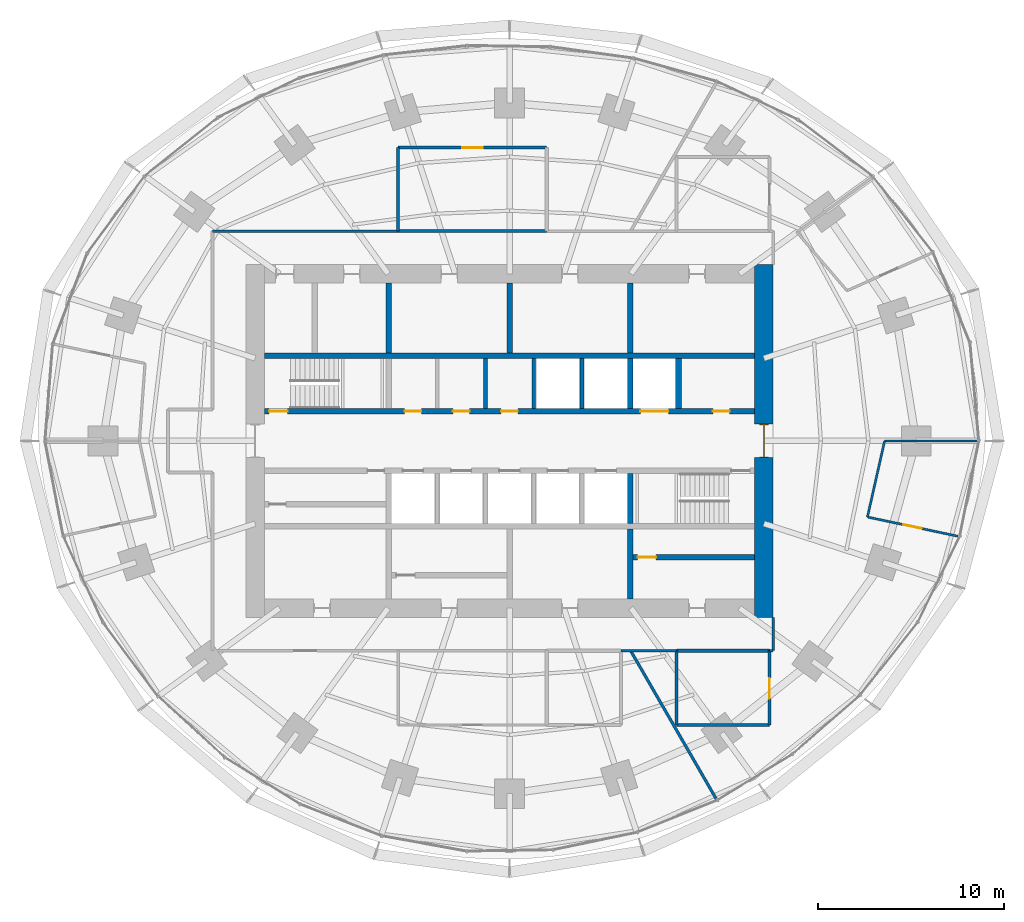
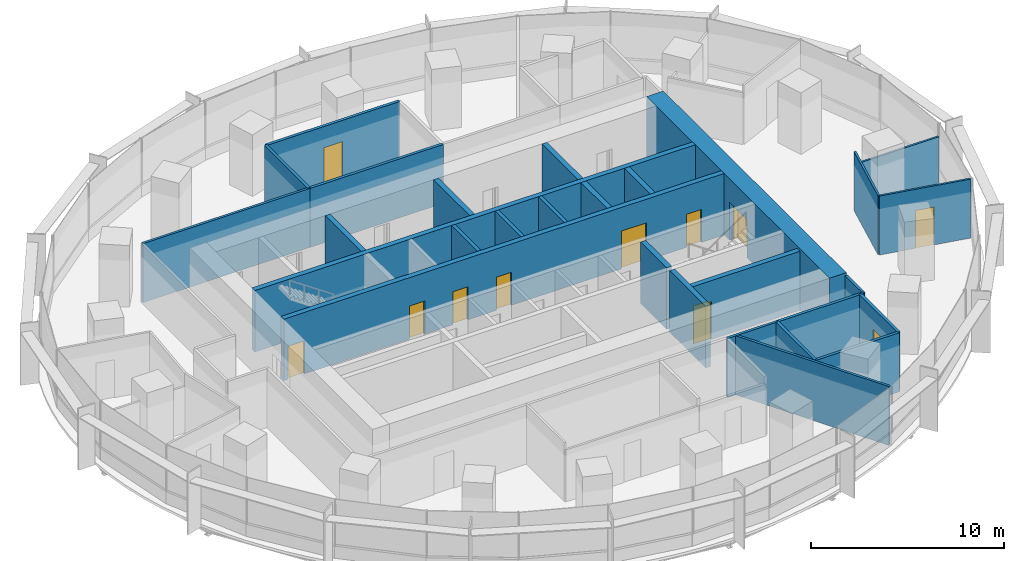
# One storey, part 11 of 14: 29 walls, 11 doors, 11 openings.
"""IFC4 building model written with IfcOpenShell, lengths in metres."""

from ifc_helpers import new_model, si_unit, direction, frame, frame_2d, origin, place, context, subcontext, project, spatial, rectangle, extrude, material, layer, layer_set, type_object, element, fill, save


model = new_model("IFC4")

# Units and contexts
model_context = context("Model", 3, precision=1e-05, world=origin(), true_north=direction((0.0, 1.0)))
body_context = subcontext(model_context, "Body", "Model", "MODEL_VIEW")
ifc_project = project(units=[si_unit("LENGTHUNIT", "METRE"), si_unit("AREAUNIT", "SQUARE_METRE"), si_unit("VOLUMEUNIT", "CUBIC_METRE"), si_unit("PLANEANGLEUNIT", "RADIAN"), si_unit("MASSUNIT", "GRAM", prefix="KILO")], contexts=[model_context])

# Site, building, storey
site_placement = place(None, origin())
site = spatial("IfcSite", under=ifc_project, at=site_placement, CompositionType="ELEMENT")
building_placement = place(site_placement, origin())
building = spatial("IfcBuilding", under=site, at=building_placement, Name="Marramba Exchange Tower", CompositionType="ELEMENT")
storey_placement = place(building_placement, frame((0.0, 0.0, 150.89990234375)))
storey = spatial("IfcBuildingStorey", under=building, at=storey_placement, Name="L36", CompositionType="ELEMENT", Elevation=150.89990234375)

# Walls
ifc_material_1 = material(Name="Plasterboard on staggered double steel studs, acoustic insulation", Category="steel")
ifc_layer_1 = layer(ifc_material_1, 0.169921875)
ifc_layer_set_1 = layer_set([ifc_layer_1], Name="Acoustic partition 170")
wall_type_1 = type_object("IfcWallType", Name="Acoustic partition 170", PredefinedType="PARTITIONING", material=ifc_layer_set_1)
wall_1_placement = place(storey_placement, frame((9.0, -11.300048828125, 0.0), z_axis=(0.0, 0.0, 1.0), x_axis=(0.0, -1.0, 0.0)))
element("IfcWall", 1, at=wall_1_placement, inside=storey, type_object=wall_type_1, Name="Acoustic partition L36 14", PredefinedType="PARTITIONING", context=body_context, shape_type="SweptSolid", body=[
    extrude(rectangle(XDim=4.0, YDim=0.169921875, at=frame_2d((2.0, 0.0))), origin(), (0.0, 0.0, 1.0), 3.739990234375),
])
for number, where, z_axis, x_axis, name in (
    (2, (9.0, -15.300048828125, 0.0), (0.0, 0.0, 1.0), (1.0, 0.0, 0.0), "Acoustic partition L36 15"),
    (3, (14.0, -11.300048828125, 0.0), (0.0, 0.0, 1.0), (-1.0, 0.0, 0.0), "Acoustic partition L36 16"),
):
    element("IfcWall", number, at=place(storey_placement, frame(where, z_axis=z_axis, x_axis=x_axis)), inside=storey, type_object=wall_type_1, Name=name, PredefinedType="PARTITIONING", context=body_context, shape_type="SweptSolid", body=[
        extrude(rectangle(XDim=5.0, YDim=0.169921875, at=frame_2d((2.5, 0.0))), origin(), (0.0, 0.0, 1.0), 3.739990234375),
    ])

# Wall, opening, door
wall_2_placement = place(storey_placement, frame((14.0, -15.300048828125, 0.0), z_axis=(0.0, 0.0, 1.0), x_axis=(0.0, 1.0, 0.0)))
wall_2 = element("IfcWall", 4, at=wall_2_placement, inside=storey, type_object=wall_type_1, Name="Acoustic partition L36 17", PredefinedType="PARTITIONING", context=body_context, shape_type="SweptSolid", body=[
    extrude(rectangle(XDim=4.0, YDim=0.169921875, at=frame_2d((2.0, 0.0))), origin(), (0.0, 0.0, 1.0), 3.739990234375),
])
opening_1_placement = place(wall_2_placement, frame((1.424072265625, 0.0, 0.0)))
opening_1 = element("IfcOpeningElement", 5, at=opening_1_placement, cuts=wall_2, Name="Opening D15", PredefinedType="OPENING", context=body_context, shape_type="SweptSolid", body=[
    extrude(rectangle(XDim=1.10009765625, YDim=2.39990234375, at=frame_2d((0.550048828125, 1.199951171875))), frame((0.0, 0.094970703125, 0.0), z_axis=(0.0, -1.0, 0.0), x_axis=(1.0, 0.0, 0.0)), (0.0, 0.0, 1.0), 0.18994140625),
])
ifc_material_2 = material(Name="Timber door", Category="wood")
door_type_1 = type_object("IfcDoorType", Name="Glazed meeting room door 1100x2400", OperationType="SINGLE_SWING_LEFT", PredefinedType="DOOR", material=ifc_material_2)
door_1_placement = place(opening_1_placement, origin())
door_1 = element("IfcDoor", 6, at=door_1_placement, inside=storey, type_object=door_type_1, Name="D15 Meeting Room 2 L36", OperationType="SINGLE_SWING_LEFT", OverallHeight=2.39990234375, OverallWidth=1.10009765625, PredefinedType="DOOR", context=body_context, shape_type="SweptSolid", body=[
    extrude(rectangle(XDim=1.10009765625, YDim=2.39990234375, at=frame_2d((0.550048828125, 1.199951171875))), frame((0.0, 0.02490234375, 0.0), z_axis=(0.0, -1.0, 0.0), x_axis=(1.0, 0.0, 0.0)), (0.0, 0.0, 1.0), 0.050048828125),
])
fill(opening_1, door_1)

wall_3_placement = place(storey_placement, frame((2.0, 15.800048828125, 0.0), z_axis=(0.0, 0.0, 1.0), x_axis=(-1.0, 0.0, 0.0)))
wall_3 = element("IfcWall", 7, at=wall_3_placement, inside=storey, type_object=wall_type_1, Name="Acoustic partition L36 35", PredefinedType="PARTITIONING", context=body_context, shape_type="SweptSolid", body=[
    extrude(rectangle(XDim=8.0, YDim=0.169921875, at=frame_2d((4.0, 0.0))), origin(), (0.0, 0.0, 1.0), 3.739990234375),
])
opening_2_placement = place(wall_3_placement, frame((3.449951171875, 0.0, 0.0)))
opening_2 = element("IfcOpeningElement", 8, at=opening_2_placement, cuts=wall_3, Name="Opening D15", PredefinedType="OPENING", context=body_context, shape_type="SweptSolid", body=[
    extrude(rectangle(XDim=1.10009765625, YDim=2.39990234375, at=frame_2d((0.550048828125, 1.199951171875))), frame((0.0, 0.094970703125, 0.0), z_axis=(0.0, -1.0, 0.0), x_axis=(1.0, 0.0, 0.0)), (0.0, 0.0, 1.0), 0.18994140625),
])
door_2_placement = place(opening_2_placement, origin())
door_2 = element("IfcDoor", 9, at=door_2_placement, inside=storey, type_object=door_type_1, Name="D15 Meeting Room 3 L36", OperationType="SINGLE_SWING_RIGHT", OverallHeight=2.39990234375, OverallWidth=1.10009765625, PredefinedType="DOOR", context=body_context, shape_type="SweptSolid", body=[
    extrude(rectangle(XDim=1.10009765625, YDim=2.39990234375, at=frame_2d((0.550048828125, 1.199951171875))), frame((0.0, 0.02490234375, 0.0), z_axis=(0.0, -1.0, 0.0), x_axis=(1.0, 0.0, 0.0)), (0.0, 0.0, 1.0), 0.050048828125),
])
fill(opening_2, door_2)

# Walls
wall_4_placement = place(storey_placement, frame((-6.0, 11.300048828125, 0.0), z_axis=(0.0, 0.0, 1.0), x_axis=(1.0, 0.0, 0.0)))
element("IfcWall", 10, at=wall_4_placement, inside=storey, type_object=wall_type_1, Name="Acoustic partition L36 36", PredefinedType="PARTITIONING", context=body_context, shape_type="SweptSolid", body=[
    extrude(rectangle(XDim=8.0, YDim=0.169921875, at=frame_2d((4.0, 0.0))), origin(), (0.0, 0.0, 1.0), 3.739990234375),
])
wall_5_placement = place(storey_placement, frame((-6.0, 15.800048828125, 0.0), z_axis=(0.0, 0.0, 1.0), x_axis=(0.0, -1.0, 0.0)))
element("IfcWall", 11, at=wall_5_placement, inside=storey, type_object=wall_type_1, Name="Acoustic partition L36 37", PredefinedType="PARTITIONING", context=body_context, shape_type="SweptSolid", body=[
    extrude(rectangle(XDim=4.5, YDim=0.169921875, at=frame_2d((2.25, 0.0))), origin(), (0.0, 0.0, 1.0), 3.739990234375),
])
ifc_material_3 = material(Name="Concrete N50", Category="concrete")
ifc_layer_2 = layer(ifc_material_3, 0.199951171875)
ifc_layer_set_2 = layer_set([ifc_layer_2], Name="Core shaft wall 200")
wall_type_2 = type_object("IfcWallType", Name="Core shaft wall 200", PredefinedType="SHEAR", material=ifc_layer_set_2)
for number, where, z_axis, x_axis, name in (
    (12, (-1.300048828125, 1.75, 0.0), (0.0, 0.0, 1.0), (0.0, 1.0, 0.0), "Core wall SHN2 L36"),
    (13, (1.300048828125, 1.75, 0.0), (0.0, 0.0, 1.0), (0.0, 1.0, 0.0), "Core wall SHN3 L36"),
    (14, (3.89990234375, 1.75, 0.0), (0.0, 0.0, 1.0), (0.0, 1.0, 0.0), "Core wall SHN4 L36"),
):
    element("IfcWall", number, at=place(storey_placement, frame(where, z_axis=z_axis, x_axis=x_axis)), inside=storey, type_object=wall_type_2, Name=name, PredefinedType="SHEAR", context=body_context, shape_type="SweptSolid", body=[
        extrude(rectangle(XDim=2.699951171875, YDim=0.199951171875, at=frame_2d((1.35009765625, 0.0))), origin(), (0.0, 0.0, 1.0), 3.900146484375),
    ])

# Wall, opening, door
ifc_layer_3 = layer(ifc_material_3, 1.0)
ifc_layer_set_3 = layer_set([ifc_layer_3], Name="Core wall 1000")
wall_type_3 = type_object("IfcWallType", Name="Core wall 1000", PredefinedType="SHEAR", material=ifc_layer_set_3)
wall_6_placement = place(storey_placement, frame((13.699951171875, -9.5, 0.0), z_axis=(0.0, 0.0, 1.0), x_axis=(0.0, 1.0, 0.0)))
wall_6 = element("IfcWall", 15, at=wall_6_placement, inside=storey, type_object=wall_type_3, Name="Core wall E L36", PredefinedType="SHEAR", context=body_context, shape_type="SweptSolid", body=[
    extrude(rectangle(XDim=19.0, YDim=1.0, at=frame_2d((9.5, 0.0))), origin(), (0.0, 0.0, 1.0), 3.900146484375),
])
opening_3_placement = place(wall_6_placement, frame((8.60009765625, 0.0, 0.0)))
opening_3 = element("IfcOpeningElement", 16, at=opening_3_placement, cuts=wall_6, Name="Opening D1", PredefinedType="OPENING", context=body_context, shape_type="SweptSolid", body=[
    extrude(rectangle(XDim=1.800048828125, YDim=2.39990234375, at=frame_2d((0.89990234375, 1.199951171875))), frame((0.0, 0.510009765625, 0.0), z_axis=(0.0, -1.0, 0.0), x_axis=(1.0, 0.0, 0.0)), (0.0, 0.0, 1.0), 1.02001953125),
])
ifc_material_4 = material(Name="Steel-framed door", Category="steel")
door_type_2 = type_object("IfcDoorType", Name="Lobby exit door 1800x2400", OperationType="DOUBLE_DOOR_SINGLE_SWING", PredefinedType="DOOR", material=ifc_material_4)
door_3_placement = place(opening_3_placement, origin())
door_3 = element("IfcDoor", 17, at=door_3_placement, inside=storey, type_object=door_type_2, Name="D1 lobby exit east L36", OperationType="DOUBLE_DOOR_SINGLE_SWING", OverallHeight=2.39990234375, OverallWidth=1.800048828125, PredefinedType="DOOR", context=body_context, shape_type="SweptSolid", body=[
    extrude(rectangle(XDim=1.719970703125, YDim=2.35986328125, at=frame_2d((0.89990234375, 1.179931640625))), frame((0.0, 0.02490234375, 0.0), z_axis=(0.0, -1.0, 0.0), x_axis=(1.0, 0.0, 0.0)), (0.0, 0.0, 1.0), 0.050048828125),
    extrude(rectangle(XDim=0.04, YDim=2.39990234375, at=frame_2d((0.02001953125, 1.199951171875))), frame((0.0, 0.25, 0.0), z_axis=(0.0, -1.0, 0.0), x_axis=(1.0, 0.0, 0.0)), (0.0, 0.0, 1.0), 0.5),
    extrude(rectangle(XDim=0.04, YDim=2.39990234375, at=frame_2d((1.780029296875, 1.199951171875))), frame((0.0, 0.25, 0.0), z_axis=(0.0, -1.0, 0.0), x_axis=(1.0, 0.0, 0.0)), (0.0, 0.0, 1.0), 0.5),
    extrude(rectangle(XDim=1.719970703125, YDim=0.04, at=frame_2d((0.89990234375, 2.3798828125))), frame((0.0, 0.25, 0.0), z_axis=(0.0, -1.0, 0.0), x_axis=(1.0, 0.0, 0.0)), (0.0, 0.0, 1.0), 0.5),
])
fill(opening_3, door_3)

# Wall, openings, doors
ifc_layer_4 = layer(ifc_material_3, 0.300048828125)
ifc_layer_set_4 = layer_set([ifc_layer_4], Name="Core wall 300")
wall_type_4 = type_object("IfcWallType", Name="Core wall 300", PredefinedType="SHEAR", material=ifc_layer_set_4)
wall_7_placement = place(storey_placement, frame((-13.199951171875, 1.60009765625, 0.0), z_axis=(0.0, 0.0, 1.0), x_axis=(1.0, 0.0, 0.0)))
wall_7 = element("IfcWall", 18, at=wall_7_placement, inside=storey, type_object=wall_type_4, Name="Core wall LN L36", PredefinedType="SHEAR", context=body_context, shape_type="SweptSolid", body=[
    extrude(rectangle(XDim=26.39990234375, YDim=0.300048828125, at=frame_2d((13.199951171875, 0.0))), origin(), (0.0, 0.0, 1.0), 3.900146484375),
])
opening_4_placement = place(wall_7_placement, frame((0.25, 0.0, 0.0)))
opening_4 = element("IfcOpeningElement", 19, at=opening_4_placement, cuts=wall_7, Name="Opening D2", PredefinedType="OPENING", context=body_context, shape_type="SweptSolid", body=[
    extrude(rectangle(XDim=1.0, YDim=2.10009765625, at=frame_2d((0.5, 1.050048828125))), frame((0.0, 0.159912109375, 0.0), z_axis=(0.0, -1.0, 0.0), x_axis=(1.0, 0.0, 0.0)), (0.0, 0.0, 1.0), 0.320068359375),
])
opening_5_placement = place(wall_7_placement, frame((20.25, 0.0, 0.0)))
opening_5 = element("IfcOpeningElement", 20, at=opening_5_placement, cuts=wall_7, Name="Opening LD3", PredefinedType="OPENING", context=body_context, shape_type="SweptSolid", body=[
    extrude(rectangle(XDim=1.5, YDim=2.39990234375, at=frame_2d((0.75, 1.199951171875))), frame((0.0, 0.159912109375, 0.0), z_axis=(0.0, -1.0, 0.0), x_axis=(1.0, 0.0, 0.0)), (0.0, 0.0, 1.0), 0.320068359375),
])
opening_6_placement = place(wall_7_placement, frame((7.550048828125, 0.0, 0.0)))
opening_6 = element("IfcOpeningElement", 21, at=opening_6_placement, cuts=wall_7, Name="Opening D5", PredefinedType="OPENING", context=body_context, shape_type="SweptSolid", body=[
    extrude(rectangle(XDim=0.89990234375, YDim=2.10009765625, at=frame_2d((0.449951171875, 1.050048828125))), frame((0.0, 0.159912109375, 0.0), z_axis=(0.0, -1.0, 0.0), x_axis=(1.0, 0.0, 0.0)), (0.0, 0.0, 1.0), 0.320068359375),
])
opening_7_placement = place(wall_7_placement, frame((10.14990234375, 0.0, 0.0)))
opening_7 = element("IfcOpeningElement", 22, at=opening_7_placement, cuts=wall_7, Name="Opening D5", PredefinedType="OPENING", context=body_context, shape_type="SweptSolid", body=[
    extrude(rectangle(XDim=0.89990234375, YDim=2.10009765625, at=frame_2d((0.449951171875, 1.050048828125))), frame((0.0, 0.159912109375, 0.0), z_axis=(0.0, -1.0, 0.0), x_axis=(1.0, 0.0, 0.0)), (0.0, 0.0, 1.0), 0.320068359375),
])
opening_8_placement = place(wall_7_placement, frame((12.75, 0.0, 0.0)))
opening_8 = element("IfcOpeningElement", 23, at=opening_8_placement, cuts=wall_7, Name="Opening D5", PredefinedType="OPENING", context=body_context, shape_type="SweptSolid", body=[
    extrude(rectangle(XDim=0.89990234375, YDim=2.10009765625, at=frame_2d((0.449951171875, 1.050048828125))), frame((0.0, 0.159912109375, 0.0), z_axis=(0.0, -1.0, 0.0), x_axis=(1.0, 0.0, 0.0)), (0.0, 0.0, 1.0), 0.320068359375),
])
opening_9_placement = place(wall_7_placement, frame((24.14990234375, 0.0, 0.0)))
opening_9 = element("IfcOpeningElement", 24, at=opening_9_placement, cuts=wall_7, Name="Opening D5", PredefinedType="OPENING", context=body_context, shape_type="SweptSolid", body=[
    extrude(rectangle(XDim=0.89990234375, YDim=2.10009765625, at=frame_2d((0.449951171875, 1.050048828125))), frame((0.0, 0.159912109375, 0.0), z_axis=(0.0, -1.0, 0.0), x_axis=(1.0, 0.0, 0.0)), (0.0, 0.0, 1.0), 0.320068359375),
])
door_type_3 = type_object("IfcDoorType", Name="Goods lift landing door 1500x2400", OperationType="SLIDING_TO_LEFT", PredefinedType="DOOR", material=ifc_material_4)
door_4_placement = place(opening_5_placement, origin())
door_4 = element("IfcDoor", 25, at=door_4_placement, inside=storey, type_object=door_type_3, Name="GL1 landing door L36", OperationType="SLIDING_TO_LEFT", OverallHeight=2.39990234375, OverallWidth=1.5, PredefinedType="DOOR", context=body_context, shape_type="SweptSolid", body=[
    extrude(rectangle(XDim=1.5, YDim=2.39990234375, at=frame_2d((0.75, 1.199951171875))), frame((0.0, 0.02490234375, 0.0), z_axis=(0.0, -1.0, 0.0), x_axis=(1.0, 0.0, 0.0)), (0.0, 0.0, 1.0), 0.050048828125),
])
fill(opening_5, door_4)
door_type_4 = type_object("IfcDoorType", Name="Service door 900x2100", OperationType="SINGLE_SWING_LEFT", PredefinedType="DOOR", material=ifc_material_4)
door_5_placement = place(opening_6_placement, origin())
door_5 = element("IfcDoor", 26, at=door_5_placement, inside=storey, type_object=door_type_4, Name="D5 switch room L36", OperationType="SINGLE_SWING_RIGHT", OverallHeight=2.10009765625, OverallWidth=0.89990234375, PredefinedType="DOOR", context=body_context, shape_type="SweptSolid", body=[
    extrude(rectangle(XDim=0.89990234375, YDim=2.10009765625, at=frame_2d((0.449951171875, 1.050048828125))), frame((0.0, 0.02490234375, 0.0), z_axis=(0.0, -1.0, 0.0), x_axis=(1.0, 0.0, 0.0)), (0.0, 0.0, 1.0), 0.050048828125),
])
fill(opening_6, door_5)
door_6_placement = place(opening_7_placement, origin())
door_6 = element("IfcDoor", 27, at=door_6_placement, inside=storey, type_object=door_type_4, Name="D5 recycling room L36", OperationType="SINGLE_SWING_RIGHT", OverallHeight=2.10009765625, OverallWidth=0.89990234375, PredefinedType="DOOR", context=body_context, shape_type="SweptSolid", body=[
    extrude(rectangle(XDim=0.89990234375, YDim=2.10009765625, at=frame_2d((0.449951171875, 1.050048828125))), frame((0.0, 0.02490234375, 0.0), z_axis=(0.0, -1.0, 0.0), x_axis=(1.0, 0.0, 0.0)), (0.0, 0.0, 1.0), 0.050048828125),
])
fill(opening_7, door_6)
door_7_placement = place(opening_8_placement, origin())
door_7 = element("IfcDoor", 28, at=door_7_placement, inside=storey, type_object=door_type_4, Name="D5 general store L36", OperationType="SINGLE_SWING_RIGHT", OverallHeight=2.10009765625, OverallWidth=0.89990234375, PredefinedType="DOOR", context=body_context, shape_type="SweptSolid", body=[
    extrude(rectangle(XDim=0.89990234375, YDim=2.10009765625, at=frame_2d((0.449951171875, 1.050048828125))), frame((0.0, 0.02490234375, 0.0), z_axis=(0.0, -1.0, 0.0), x_axis=(1.0, 0.0, 0.0)), (0.0, 0.0, 1.0), 0.050048828125),
])
fill(opening_8, door_7)
door_8_placement = place(opening_9_placement, origin())
door_8 = element("IfcDoor", 29, at=door_8_placement, inside=storey, type_object=door_type_4, Name="D5 riser L36", OperationType="SINGLE_SWING_RIGHT", OverallHeight=2.10009765625, OverallWidth=0.89990234375, PredefinedType="DOOR", context=body_context, shape_type="SweptSolid", body=[
    extrude(rectangle(XDim=0.89990234375, YDim=2.10009765625, at=frame_2d((0.449951171875, 1.050048828125))), frame((0.0, 0.02490234375, 0.0), z_axis=(0.0, -1.0, 0.0), x_axis=(1.0, 0.0, 0.0)), (0.0, 0.0, 1.0), 0.050048828125),
])
fill(opening_9, door_8)
door_type_5 = type_object("IfcDoorType", Name="Stair door 1000x2100", OperationType="SINGLE_SWING_LEFT", PredefinedType="DOOR", material=ifc_material_4)
door_9_placement = place(opening_4_placement, origin())
door_9 = element("IfcDoor", 30, at=door_9_placement, inside=storey, type_object=door_type_5, Name="D2 stair ST1 L36", OperationType="SINGLE_SWING_LEFT", OverallHeight=2.10009765625, OverallWidth=1.0, PredefinedType="DOOR", context=body_context, shape_type="SweptSolid", body=[
    extrude(rectangle(XDim=1.0, YDim=2.10009765625, at=frame_2d((0.5, 1.050048828125))), frame((0.0, 0.02490234375, 0.0), z_axis=(0.0, -1.0, 0.0), x_axis=(1.0, 0.0, 0.0)), (0.0, 0.0, 1.0), 0.050048828125),
])
fill(opening_4, door_9)

# Walls
wall_8_placement = place(storey_placement, frame((-13.199951171875, 4.60009765625, 0.0), z_axis=(0.0, 0.0, 1.0), x_axis=(1.0, 0.0, 0.0)))
element("IfcWall", 31, at=wall_8_placement, inside=storey, type_object=wall_type_4, Name="Core wall BN L36", PredefinedType="SHEAR", context=body_context, shape_type="SweptSolid", body=[
    extrude(rectangle(XDim=26.39990234375, YDim=0.300048828125, at=frame_2d((13.199951171875, 0.0))), origin(), (0.0, 0.0, 1.0), 3.900146484375),
])
wall_9_placement = place(storey_placement, frame((-6.5, 4.75, 0.0), z_axis=(0.0, 0.0, 1.0), x_axis=(0.0, 1.0, 0.0)))
element("IfcWall", 32, at=wall_9_placement, inside=storey, type_object=wall_type_4, Name="Core wall X0Nb L36", PredefinedType="SHEAR", context=body_context, shape_type="SweptSolid", body=[
    extrude(rectangle(XDim=3.75, YDim=0.300048828125, at=frame_2d((1.875, 0.0))), origin(), (0.0, 0.0, 1.0), 3.900146484375),
])
wall_10_placement = place(storey_placement, frame((6.5, 1.75, 0.0), z_axis=(0.0, 0.0, 1.0), x_axis=(0.0, 1.0, 0.0)))
element("IfcWall", 33, at=wall_10_placement, inside=storey, type_object=wall_type_4, Name="Core wall X1Na L36", PredefinedType="SHEAR", context=body_context, shape_type="SweptSolid", body=[
    extrude(rectangle(XDim=2.699951171875, YDim=0.300048828125, at=frame_2d((1.35009765625, 0.0))), origin(), (0.0, 0.0, 1.0), 3.900146484375),
])
for number, where, z_axis, x_axis, name in (
    (34, (6.5, 4.75, 0.0), (0.0, 0.0, 1.0), (0.0, 1.0, 0.0), "Core wall X1Nb L36"),
    (35, (0.0, 4.75, 0.0), (0.0, 0.0, 1.0), (0.0, 1.0, 0.0), "Core wall MN L36"),
):
    element("IfcWall", number, at=place(storey_placement, frame(where, z_axis=z_axis, x_axis=x_axis)), inside=storey, type_object=wall_type_4, Name=name, PredefinedType="SHEAR", context=body_context, shape_type="SweptSolid", body=[
        extrude(rectangle(XDim=3.75, YDim=0.300048828125, at=frame_2d((1.875, 0.0))), origin(), (0.0, 0.0, 1.0), 3.900146484375),
    ])
wall_11_placement = place(storey_placement, frame((6.5, -1.75, 0.0), z_axis=(0.0, 0.0, 1.0), x_axis=(0.0, -1.0, 0.0)))
element("IfcWall", 36, at=wall_11_placement, inside=storey, type_object=wall_type_4, Name="Core wall X1Sa L36", PredefinedType="SHEAR", context=body_context, shape_type="SweptSolid", body=[
    extrude(rectangle(XDim=2.699951171875, YDim=0.300048828125, at=frame_2d((1.35009765625, 0.0))), origin(), (0.0, 0.0, 1.0), 3.900146484375),
])
wall_12_placement = place(storey_placement, frame((6.5, -4.75, 0.0), z_axis=(0.0, 0.0, 1.0), x_axis=(0.0, -1.0, 0.0)))
element("IfcWall", 37, at=wall_12_placement, inside=storey, type_object=wall_type_4, Name="Core wall X1Sb L36", PredefinedType="SHEAR", context=body_context, shape_type="SweptSolid", body=[
    extrude(rectangle(XDim=3.75, YDim=0.300048828125, at=frame_2d((1.875, 0.0))), origin(), (0.0, 0.0, 1.0), 3.900146484375),
])
wall_13_placement = place(storey_placement, frame((9.10009765625, 1.75, 0.0), z_axis=(0.0, 0.0, 1.0), x_axis=(0.0, 1.0, 0.0)))
element("IfcWall", 38, at=wall_13_placement, inside=storey, type_object=wall_type_4, Name="Core wall ED L36", PredefinedType="SHEAR", context=body_context, shape_type="SweptSolid", body=[
    extrude(rectangle(XDim=2.699951171875, YDim=0.300048828125, at=frame_2d((1.35009765625, 0.0))), origin(), (0.0, 0.0, 1.0), 3.900146484375),
])

# Wall, opening, door
ifc_material_5 = material(Name="Plasterboard on steel studs", Category="steel")
ifc_layer_5 = layer(ifc_material_5, 0.1201171875)
ifc_layer_set_5 = layer_set([ifc_layer_5], Name="Partition 120")
wall_type_5 = type_object("IfcWallType", Name="Partition 120", PredefinedType="PARTITIONING", material=ifc_layer_set_5)
wall_14_placement = place(storey_placement, frame((19.277099609375, -4.097412109375, 0.0), z_axis=(0.0, 0.0, 1.0), x_axis=(0.978149046495, -0.207904888932, 0.0)))
wall_14 = element("IfcWall", 39, at=wall_14_placement, inside=storey, type_object=wall_type_5, Name="Partition L36 20", PredefinedType="PARTITIONING", context=body_context, shape_type="SweptSolid", body=[
    extrude(rectangle(XDim=5.000244140625, YDim=0.1201171875, at=frame_2d((2.5, 0.0))), origin(), (0.0, 0.0, 1.0), 3.739990234375),
])
opening_10_placement = place(wall_14_placement, frame((1.97509765625, 0.0, 0.0)))
opening_10 = element("IfcOpeningElement", 40, at=opening_10_placement, cuts=wall_14, Name="Opening D9", PredefinedType="OPENING", context=body_context, shape_type="SweptSolid", body=[
    extrude(rectangle(XDim=1.0, YDim=2.39990234375, at=frame_2d((0.5, 1.199951171875))), frame((0.0, 0.070068359375, 0.0), z_axis=(0.0, -1.0, 0.0), x_axis=(1.0, 0.0, 0.0)), (0.0, 0.0, 1.0), 0.14013671875),
])
door_type_6 = type_object("IfcDoorType", Name="Room door 1000x2400", OperationType="SINGLE_SWING_LEFT", PredefinedType="DOOR", material=ifc_material_2)
door_10_placement = place(opening_10_placement, origin())
door_10 = element("IfcDoor", 41, at=door_10_placement, inside=storey, type_object=door_type_6, Name="D9 Office 2 L36", OperationType="SINGLE_SWING_LEFT", OverallHeight=2.39990234375, OverallWidth=1.0, PredefinedType="DOOR", context=body_context, shape_type="SweptSolid", body=[
    extrude(rectangle(XDim=1.0, YDim=2.39990234375, at=frame_2d((0.5, 1.199951171875))), frame((0.0, 0.02490234375, 0.0), z_axis=(0.0, -1.0, 0.0), x_axis=(1.0, 0.0, 0.0)), (0.0, 0.0, 1.0), 0.050048828125),
])
fill(opening_10, door_10)

# Walls
wall_15_placement = place(storey_placement, frame((20.201904296875, 0.0, 0.0), z_axis=(0.0, 0.0, 1.0), x_axis=(-0.220166321364, -0.975462347268, 0.0)))
element("IfcWall", 42, at=wall_15_placement, inside=storey, type_object=wall_type_5, Name="Partition L36 21", PredefinedType="PARTITIONING", context=body_context, shape_type="SweptSolid", body=[
    extrude(rectangle(XDim=4.200439453125, YDim=0.1201171875, at=frame_2d((2.10009765625, 0.0))), origin(), (0.0, 0.0, 1.0), 3.739990234375),
])
wall_16_placement = place(storey_placement, frame((25.201904296875, 0.0, 0.0), z_axis=(0.0, 0.0, 1.0), x_axis=(-1.0, 0.0, 0.0)))
element("IfcWall", 43, at=wall_16_placement, inside=storey, type_object=wall_type_5, Name="Partition L36 22", PredefinedType="PARTITIONING", context=body_context, shape_type="SweptSolid", body=[
    extrude(rectangle(XDim=5.0, YDim=0.1201171875, at=frame_2d((2.5, 0.0))), origin(), (0.0, 0.0, 1.0), 2.940185546875),
])

# Wall, opening, door
ifc_material_6 = material(Name="Plasterboard on steel studs, insulated, unrated", Category="steel")
ifc_layer_6 = layer(ifc_material_6, 0.300048828125)
ifc_layer_set_6 = layer_set([ifc_layer_6], Name="Store partition 300")
wall_type_6 = type_object("IfcWallType", Name="Store partition 300", PredefinedType="PARTITIONING", material=ifc_layer_set_6)
wall_17_placement = place(storey_placement, frame((6.64990234375, -6.27197265625, 0.0), z_axis=(0.0, 0.0, 1.0), x_axis=(1.0, 0.0, 0.0)))
wall_17 = element("IfcWall", 44, at=wall_17_placement, inside=storey, type_object=wall_type_6, Name="Store partition L36 cstore", PredefinedType="PARTITIONING", context=body_context, shape_type="SweptSolid", body=[
    extrude(rectangle(XDim=6.550048828125, YDim=0.300048828125, at=frame_2d((3.27490234375, 0.0))), origin(), (0.0, 0.0, 1.0), 3.739990234375),
])
opening_11_placement = place(wall_17_placement, frame((0.25, 0.0, 0.0)))
opening_11 = element("IfcOpeningElement", 45, at=opening_11_placement, cuts=wall_17, Name="Opening D9", PredefinedType="OPENING", context=body_context, shape_type="SweptSolid", body=[
    extrude(rectangle(XDim=1.0, YDim=2.39990234375, at=frame_2d((0.5, 1.199951171875))), frame((0.0, 0.159912109375, 0.0), z_axis=(0.0, -1.0, 0.0), x_axis=(1.0, 0.0, 0.0)), (0.0, 0.0, 1.0), 0.320068359375),
])
door_11_placement = place(opening_11_placement, origin())
door_11 = element("IfcDoor", 46, at=door_11_placement, inside=storey, type_object=door_type_6, Name="D9 general store L36", OperationType="SINGLE_SWING_LEFT", OverallHeight=2.39990234375, OverallWidth=1.0, PredefinedType="DOOR", context=body_context, shape_type="SweptSolid", body=[
    extrude(rectangle(XDim=1.0, YDim=2.39990234375, at=frame_2d((0.5, 1.199951171875))), frame((0.0, 0.02490234375, 0.0), z_axis=(0.0, -1.0, 0.0), x_axis=(1.0, 0.0, 0.0)), (0.0, 0.0, 1.0), 0.050048828125),
])
fill(opening_11, door_11)

# Walls
ifc_material_7 = material(Name="Fire-rated plasterboard on steel studs, acoustic insulation", Category="steel")
ifc_layer_7 = layer(ifc_material_7, 0.14990234375)
ifc_layer_set_7 = layer_set([ifc_layer_7], Name="Tenancy wall 150")
wall_type_7 = type_object("IfcWallType", Name="Tenancy wall 150", PredefinedType="PARTITIONING", material=ifc_layer_set_7)
wall_18_placement = place(storey_placement, frame((11.13671875, -19.289306640625, 0.0), z_axis=(0.0, 0.0, 1.0), x_axis=(-0.499995827671, 0.866027812666, 0.0)))
element("IfcWall", 47, at=wall_18_placement, inside=storey, type_object=wall_type_7, Name="Tenancy wall L36 12", PredefinedType="PARTITIONING", context=body_context, shape_type="SweptSolid", body=[
    extrude(rectangle(XDim=9.22509765625, YDim=0.14990234375, at=frame_2d((4.612548828125, 0.0))), origin(), (0.0, 0.0, 1.0), 3.739990234375),
])
wall_19_placement = place(storey_placement, frame((6.0, -11.300048828125, 0.0), z_axis=(0.0, 0.0, 1.0), x_axis=(1.0, 0.0, 0.0)))
element("IfcWall", 48, at=wall_19_placement, inside=storey, type_object=wall_type_7, Name="Tenancy wall L36 13", PredefinedType="PARTITIONING", context=body_context, shape_type="SweptSolid", body=[
    extrude(rectangle(XDim=3.0, YDim=0.14990234375, at=frame_2d((1.5, 0.0))), origin(), (0.0, 0.0, 1.0), 3.739990234375),
])
wall_20_placement = place(storey_placement, frame((14.0, -11.300048828125, 0.0), z_axis=(0.0, 0.0, 1.0), x_axis=(1.0, 0.0, 0.0)))
element("IfcWall", 49, at=wall_20_placement, inside=storey, type_object=wall_type_7, Name="Tenancy wall L36 18", PredefinedType="PARTITIONING", context=body_context, shape_type="SweptSolid", body=[
    extrude(rectangle(XDim=0.199951171875, YDim=0.14990234375, at=frame_2d((0.10009765625, 0.0))), origin(), (0.0, 0.0, 1.0), 3.739990234375),
])
wall_21_placement = place(storey_placement, frame((14.199951171875, -11.300048828125, 0.0), z_axis=(0.0, 0.0, 1.0), x_axis=(0.0, 1.0, 0.0)))
element("IfcWall", 50, at=wall_21_placement, inside=storey, type_object=wall_type_7, Name="Tenancy wall L36 19", PredefinedType="PARTITIONING", context=body_context, shape_type="SweptSolid", body=[
    extrude(rectangle(XDim=1.800048828125, YDim=0.14990234375, at=frame_2d((0.89990234375, 0.0))), origin(), (0.0, 0.0, 1.0), 3.739990234375),
])
wall_22_placement = place(storey_placement, frame((-6.0, 11.300048828125, 0.0), z_axis=(0.0, 0.0, 1.0), x_axis=(-1.0, 0.0, 0.0)))
element("IfcWall", 51, at=wall_22_placement, inside=storey, type_object=wall_type_7, Name="Tenancy wall L36 38", PredefinedType="PARTITIONING", context=body_context, shape_type="SweptSolid", body=[
    extrude(rectangle(XDim=10.0, YDim=0.14990234375, at=frame_2d((5.0, 0.0))), origin(), (0.0, 0.0, 1.0), 3.739990234375),
])

save(model, "model.ifc")
